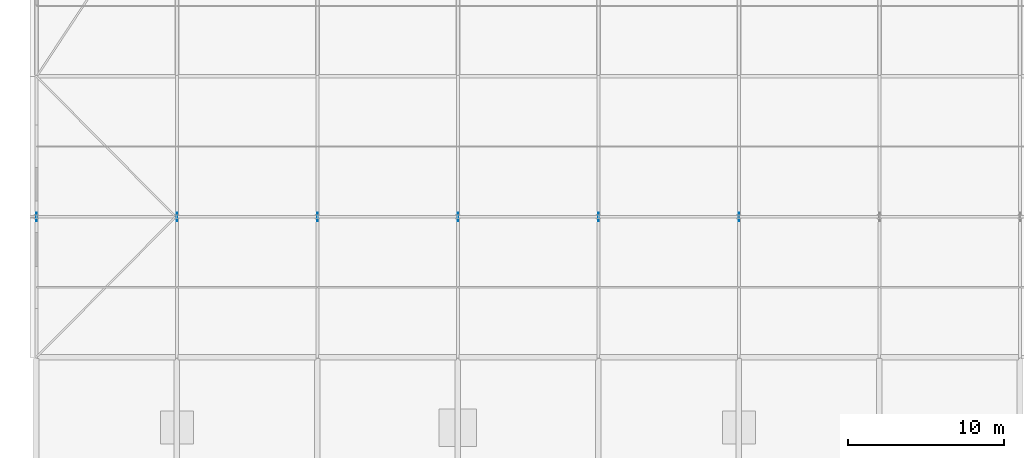
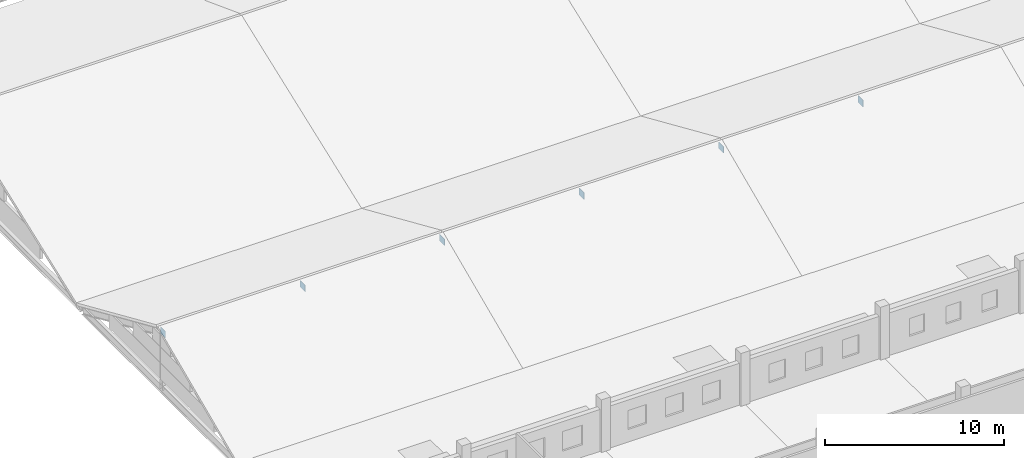
# One storey, part 117 of 163: 6 plates.
"""IFC4 building model written with IfcOpenShell, lengths in metres."""

from ifc_helpers import new_model, si_unit, direction, frame, origin, origin_2d, place, context, subcontext, project, spatial, rectangle, extrude, material, layer, layer_set, type_object, element, save


model = new_model("IFC4")

# Units and contexts
model_context = context("Model", 3, precision=1e-05, world=origin(), true_north=direction((0.0, 1.0)))
body_context = subcontext(model_context, "Body", "Model", "MODEL_VIEW")
ifc_project = project(units=[si_unit("LENGTHUNIT", "METRE"), si_unit("AREAUNIT", "SQUARE_METRE"), si_unit("VOLUMEUNIT", "CUBIC_METRE"), si_unit("PLANEANGLEUNIT", "RADIAN"), si_unit("MASSUNIT", "GRAM", prefix="KILO")], contexts=[model_context])

# Site, building, storey
site_placement = place(None, origin())
site = spatial("IfcSite", under=ifc_project, at=site_placement, CompositionType="ELEMENT")
building_placement = place(site_placement, origin())
building = spatial("IfcBuilding", under=site, at=building_placement, Name="Tharagai Park Tramway Depot", CompositionType="ELEMENT")
storey_placement = place(building_placement, frame((0.0, 0.0, 8.39990234375)))
storey = spatial("IfcBuildingStorey", under=building, at=storey_placement, Name="L02", CompositionType="ELEMENT", Elevation=8.39990234375)

# Plates
ifc_material = material(Name="Steel E350", Category="steel")
ifc_layer_1 = layer(ifc_material, 0.02392578125)
ifc_layer_set_1 = layer_set([ifc_layer_1], Name="Steel E350")
plate_type_1 = type_object("IfcPlateType", Name="GP-02", PredefinedType="SHEET", material=ifc_layer_set_1)
for number, where, z_axis, x_axis, name in (
    (1, (9.0, 54.0, 3.0830078125), (0.0, 0.0, 1.0), (1.0, 0.0, 0.0), "V2A Ridge Gusset Plate GP-02"),
    (2, (27.0, 54.0, 3.0830078125), (0.0, 0.0, 1.0), (1.0, 0.0, 0.0), "V2A Ridge Gusset Plate GP-02"),
    (3, (45.0, 54.0, 3.0830078125), (0.0, 0.0, 1.0), (1.0, 0.0, 0.0), "V2A Ridge Gusset Plate GP-02"),
):
    element("IfcPlate", number, at=place(storey_placement, frame(where, z_axis=z_axis, x_axis=x_axis)), inside=storey, type_object=plate_type_1, Name=name, PredefinedType="SHEET", context=body_context, shape_type="SweptSolid", body=[
        extrude(rectangle(XDim=0.02392578125, YDim=0.550048828125, at=origin_2d()), origin(), (0.0, 0.0, 1.0), 0.449951171875),
    ])
ifc_layer_2 = layer(ifc_material, 0.01611328125)
ifc_layer_set_2 = layer_set([ifc_layer_2], Name="Steel E350")
plate_type_2 = type_object("IfcPlateType", Name="GP-03", PredefinedType="SHEET", material=ifc_layer_set_2)
for number, where, z_axis, x_axis, name in (
    (4, (0.0, 54.0, 3.0830078125), (0.0, 0.0, 1.0), (1.0, 0.0, 0.0), "V2A Ridge Gusset Plate GP-03"),
    (5, (18.0, 54.0, 3.0830078125), (0.0, 0.0, 1.0), (1.0, 0.0, 0.0), "V2A Ridge Gusset Plate GP-03"),
    (6, (36.0, 54.0, 3.0830078125), (0.0, 0.0, 1.0), (1.0, 0.0, 0.0), "V2A Ridge Gusset Plate GP-03"),
):
    element("IfcPlate", number, at=place(storey_placement, frame(where, z_axis=z_axis, x_axis=x_axis)), inside=storey, type_object=plate_type_2, Name=name, PredefinedType="SHEET", context=body_context, shape_type="SweptSolid", body=[
        extrude(rectangle(XDim=0.01611328125, YDim=0.550048828125, at=origin_2d()), origin(), (0.0, 0.0, 1.0), 0.449951171875),
    ])

save(model, "model.ifc")
